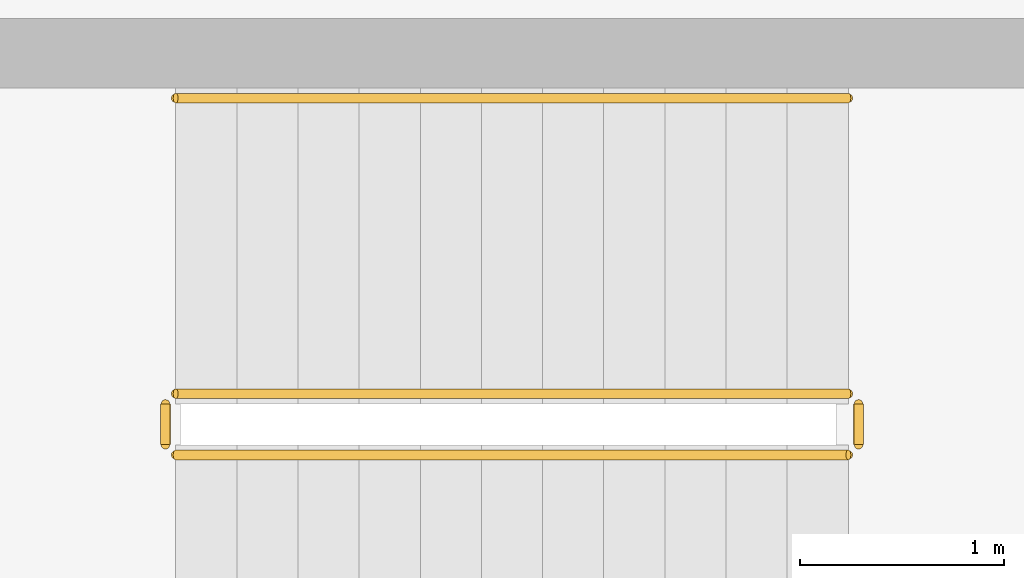
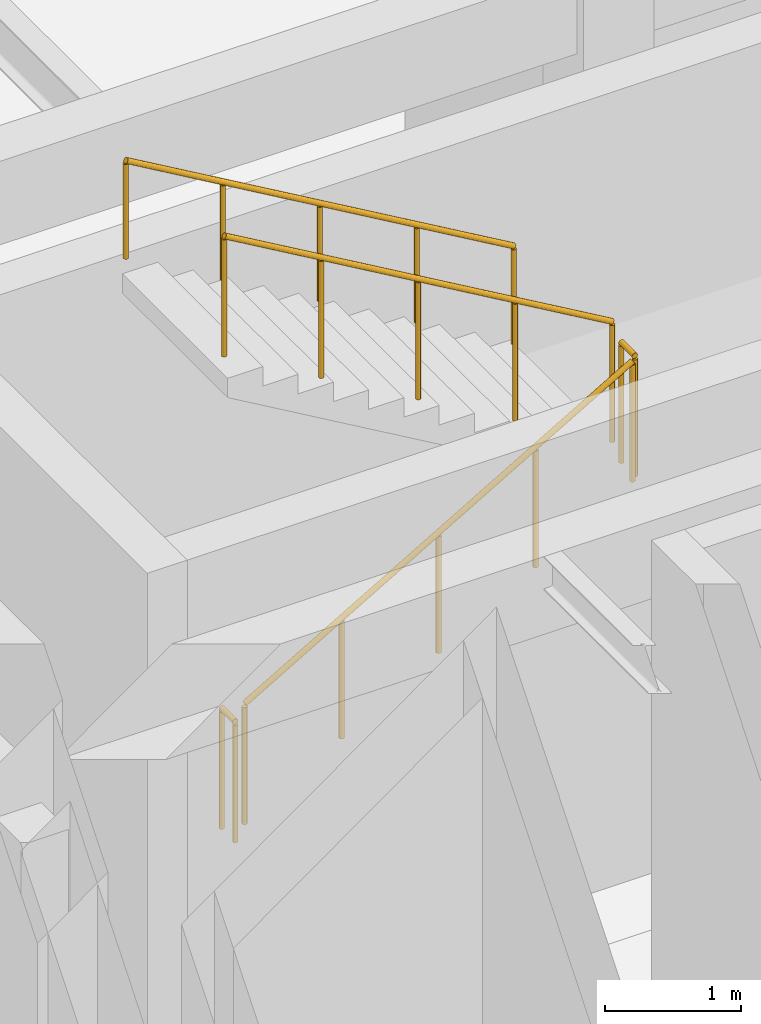
# One storey, part 35 of 40: 5 railings.
"""IFC4 building model written with IfcOpenShell, lengths in metres."""

from ifc_helpers import new_model, si_unit, direction, frame, origin, origin_2d, place, context, subcontext, project, spatial, circle, extrude, material, type_object, element, save


model = new_model("IFC4")

# Units and contexts
model_context = context("Model", 3, precision=1e-05, world=origin(), true_north=direction((0.0, 1.0)))
body_context = subcontext(model_context, "Body", "Model", "MODEL_VIEW")
ifc_project = project(units=[si_unit("LENGTHUNIT", "METRE"), si_unit("AREAUNIT", "SQUARE_METRE"), si_unit("VOLUMEUNIT", "CUBIC_METRE"), si_unit("PLANEANGLEUNIT", "RADIAN"), si_unit("MASSUNIT", "GRAM", prefix="KILO")], contexts=[model_context])

# Site, building, storey
site_placement = place(None, origin())
site = spatial("IfcSite", under=ifc_project, at=site_placement, CompositionType="ELEMENT")
building_placement = place(site_placement, origin())
building = spatial("IfcBuilding", under=site, at=building_placement, Name="Korsvaeld Concert Hall", CompositionType="ELEMENT")
storey_placement = place(building_placement, frame((0.0, 0.0, 13.199951171875)))
storey = spatial("IfcBuildingStorey", under=building, at=storey_placement, Name="L03", CompositionType="ELEMENT", Elevation=13.199951171875)

# Railings
ifc_material_1 = material(Name="Powder-coated steel and bronze stair guardrail", Category="steel")
railing_type_1 = type_object("IfcRailingType", Name="RL-STAIR-GUARD-120", PredefinedType="GUARDRAIL", material=ifc_material_1)
railing_1_placement = place(storey_placement, frame((53.52001953125, 79.27001953125, 0.175048828125)))
element("IfcRailing", 1, at=railing_1_placement, inside=storey, type_object=railing_type_1, Name="L03 ST-K1 stair guard 1", PredefinedType="GUARDRAIL", context=body_context, shape_type="SweptSolid", body=[
    extrude(circle(Radius=0.02392578125, at=origin_2d()), frame((0.0, 0.0, 1.076171875), z_axis=(0.863776583165, 0.0, 0.503874998761), x_axis=(0.0, 1.0, 0.0)), (0.0, 0.0, 1.0), 3.820556640625),
    extrude(circle(Radius=0.02099609375, at=origin_2d()), origin(), (0.0, 0.0, 1.0), 1.052001953125),
    extrude(circle(Radius=0.02099609375, at=origin_2d()), frame((0.824951171875, 0.0, 0.481201171875)), (0.0, 0.0, 1.0), 1.052001953125),
    extrude(circle(Radius=0.02099609375, at=origin_2d()), frame((1.64990234375, 0.0, 0.96240234375)), (0.0, 0.0, 1.0), 1.052001953125),
    extrude(circle(Radius=0.02099609375, at=origin_2d()), frame((2.47509765625, 0.0, 1.44384765625)), (0.0, 0.0, 1.0), 1.052001953125),
    extrude(circle(Radius=0.02099609375, at=origin_2d()), frame((3.300048828125, 0.0, 1.925048828125)), (0.0, 0.0, 1.0), 1.052001953125),
])
railing_2_placement = place(storey_placement, frame((56.8701171875, 79.320068359375, 2.10009765625)))
element("IfcRailing", 2, at=railing_2_placement, inside=storey, type_object=railing_type_1, Name="L03 ST-K1 stair guard 2", PredefinedType="GUARDRAIL", context=body_context, shape_type="SweptSolid", body=[
    extrude(circle(Radius=0.02392578125, at=origin_2d()), frame((0.0, 0.0, 1.076171875), z_axis=(0.0, 1.0, 0.0), x_axis=(-1.0, 0.0, 0.0)), (0.0, 0.0, 1.0), 0.199951171875),
    extrude(circle(Radius=0.02099609375, at=origin_2d()), origin(), (0.0, 0.0, 1.0), 1.052001953125),
    extrude(circle(Radius=0.02099609375, at=origin_2d()), frame((0.0, 0.199951171875, 0.0)), (0.0, 0.0, 1.0), 1.052001953125),
])
railing_3_placement = place(storey_placement, frame((56.820068359375, 79.570068359375, 2.275146484375)))
element("IfcRailing", 3, at=railing_3_placement, inside=storey, type_object=railing_type_1, Name="L03 ST-K1 stair guard 3", PredefinedType="GUARDRAIL", context=body_context, shape_type="SweptSolid", body=[
    extrude(circle(Radius=0.02392578125, at=origin_2d()), frame((0.0, 0.0, 1.076171875), z_axis=(-0.863804395585, 0.0, 0.503827317807), x_axis=(0.0, -1.0, 0.0)), (0.0, 0.0, 1.0), 3.8203125),
    extrude(circle(Radius=0.02099609375, at=origin_2d()), origin(), (0.0, 0.0, 1.0), 1.052001953125),
    extrude(circle(Radius=0.02099609375, at=origin_2d()), frame((-0.824951171875, 0.0, 0.481201171875)), (0.0, 0.0, 1.0), 1.052001953125),
    extrude(circle(Radius=0.02099609375, at=origin_2d()), frame((-1.64990234375, 0.0, 0.96240234375)), (0.0, 0.0, 1.0), 1.052001953125),
    extrude(circle(Radius=0.02099609375, at=origin_2d()), frame((-2.47509765625, 0.0, 1.443603515625)), (0.0, 0.0, 1.0), 1.052001953125),
    extrude(circle(Radius=0.02099609375, at=origin_2d()), frame((-3.300048828125, 0.0, 1.9248046875)), (0.0, 0.0, 1.0), 1.052001953125),
])
railing_4_placement = place(storey_placement, frame((53.469970703125, 79.320068359375, 0.0)))
element("IfcRailing", 4, at=railing_4_placement, inside=storey, type_object=railing_type_1, Name="L03 ST-K1 stair guard 4", PredefinedType="GUARDRAIL", context=body_context, shape_type="SweptSolid", body=[
    extrude(circle(Radius=0.02392578125, at=origin_2d()), frame((0.0, 0.0, 1.076171875), z_axis=(0.0, 1.0, 0.0), x_axis=(-1.0, 0.0, 0.0)), (0.0, 0.0, 1.0), 0.199951171875),
    extrude(circle(Radius=0.02099609375, at=origin_2d()), origin(), (0.0, 0.0, 1.0), 1.052001953125),
    extrude(circle(Radius=0.02099609375, at=origin_2d()), frame((0.0, 0.199951171875, 0.0)), (0.0, 0.0, 1.0), 1.052001953125),
])
ifc_material_2 = material(Name="European oak and bronze stair handrail")
railing_type_2 = type_object("IfcRailingType", Name="RL-STAIR-HAND-90", PredefinedType="HANDRAIL", material=ifc_material_2)
railing_5_placement = place(storey_placement, frame((56.820068359375, 81.02001953125, 2.275146484375)))
element("IfcRailing", 5, at=railing_5_placement, inside=storey, type_object=railing_type_2, Name="L03 ST-K1 stair handrail 2", PredefinedType="HANDRAIL", context=body_context, shape_type="SweptSolid", body=[
    extrude(circle(Radius=0.02392578125, at=origin_2d()), frame((0.0, 0.0, 0.8759765625), z_axis=(-0.863804395585, 0.0, 0.503827317807), x_axis=(0.0, -1.0, 0.0)), (0.0, 0.0, 1.0), 3.8203125),
    extrude(circle(Radius=0.02099609375, at=origin_2d()), origin(), (0.0, 0.0, 1.0), 0.851806640625),
    extrude(circle(Radius=0.02099609375, at=origin_2d()), frame((-0.824951171875, 0.0, 0.481201171875)), (0.0, 0.0, 1.0), 0.851806640625),
    extrude(circle(Radius=0.02099609375, at=origin_2d()), frame((-1.64990234375, 0.0, 0.96240234375)), (0.0, 0.0, 1.0), 0.851806640625),
    extrude(circle(Radius=0.02099609375, at=origin_2d()), frame((-2.47509765625, 0.0, 1.443603515625)), (0.0, 0.0, 1.0), 0.851806640625),
    extrude(circle(Radius=0.02099609375, at=origin_2d()), frame((-3.300048828125, 0.0, 1.9248046875)), (0.0, 0.0, 1.0), 0.851806640625),
])

save(model, "model.ifc")
